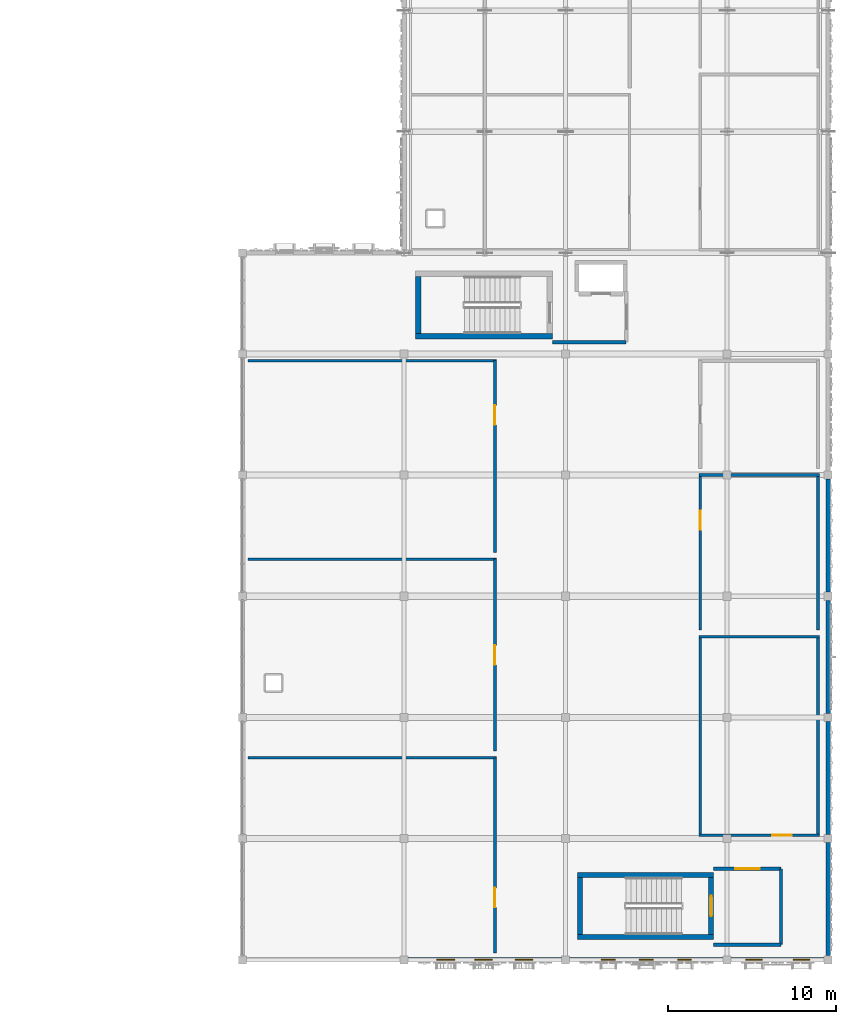
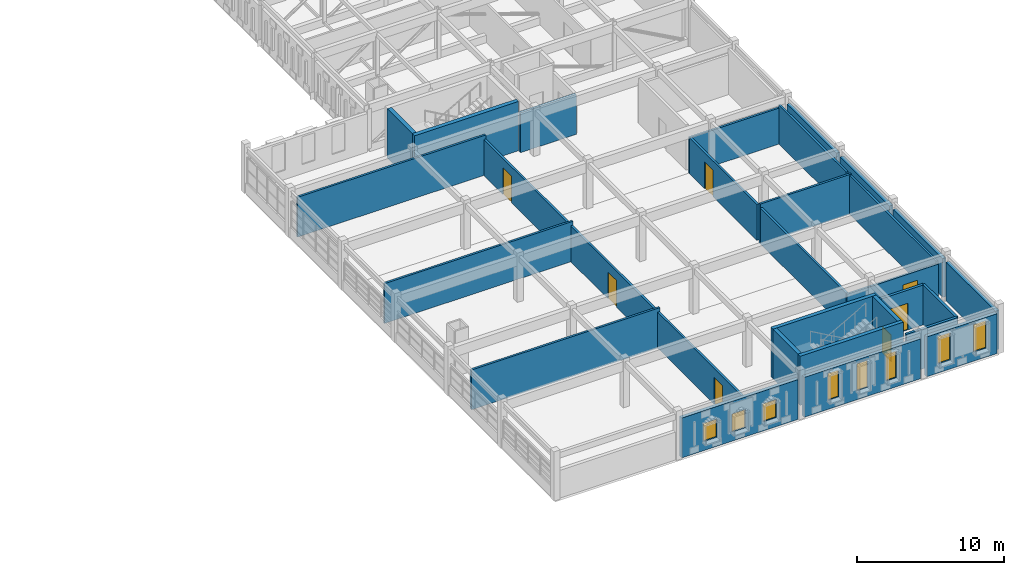
# One storey, part 51 of 79: 30 walls, 8 windows, 7 doors, 15 openings.
"""IFC4 building model written with IfcOpenShell, lengths in metres."""

from ifc_helpers import new_model, si_unit, direction, frame, frame_2d, origin, place, context, subcontext, project, spatial, rectangle, extrude, material, layer, layer_set, type_object, element, fill, save


model = new_model("IFC4")

# Units and contexts
model_context = context("Model", 3, precision=1e-05, world=origin(), true_north=direction((0.0, 1.0)))
body_context = subcontext(model_context, "Body", "Model", "MODEL_VIEW")
ifc_project = project(units=[si_unit("LENGTHUNIT", "METRE"), si_unit("AREAUNIT", "SQUARE_METRE"), si_unit("VOLUMEUNIT", "CUBIC_METRE"), si_unit("PLANEANGLEUNIT", "RADIAN"), si_unit("MASSUNIT", "GRAM", prefix="KILO")], contexts=[model_context])

# Site, building, storey
site_placement = place(None, origin())
site = spatial("IfcSite", under=ifc_project, at=site_placement, CompositionType="ELEMENT")
building_placement = place(site_placement, origin())
building = spatial("IfcBuilding", under=site, at=building_placement, Name="Nzembalo Square Collegiate School", CompositionType="ELEMENT")
storey_placement = place(building_placement, frame((0.0, 0.0, 9.52001953125)))
storey = spatial("IfcBuildingStorey", under=building, at=storey_placement, Name="L02", CompositionType="ELEMENT", Elevation=9.52001953125)

# Walls
ifc_material_1 = material(Name="Concrete C40/50", Category="concrete")
ifc_layer_1 = layer(ifc_material_1, 0.320068359375, Name="Concrete C40/50")
ifc_layer_set_1 = layer_set([ifc_layer_1], Name="Concrete C40/50")
wall_type_1 = type_object("IfcWallType", Name="SW01", PredefinedType="SHEAR", material=ifc_layer_set_1)
wall_1_placement = place(storey_placement, frame((141.239990234375, 45.60009765625, 0.0), z_axis=(0.0, 0.0, 1.0), x_axis=(0.0, 1.0, 0.0)))
element("IfcWall", 1, at=wall_1_placement, inside=storey, type_object=wall_type_1, Name="Core C5 stair shear wall W L02", PredefinedType="SHEAR", context=body_context, shape_type="SweptSolid", body=[
    extrude(rectangle(XDim=3.39990234375, YDim=0.320068359375, at=frame_2d((1.699951171875, 0.0))), origin(), (0.0, 0.0, 1.0), 4.080078125),
])
wall_2_placement = place(storey_placement, frame((141.080078125, 45.43994140625, 0.0), z_axis=(0.0, 0.0, 1.0), x_axis=(1.0, 0.0, 0.0)))
element("IfcWall", 2, at=wall_2_placement, inside=storey, type_object=wall_type_1, Name="Core C5 stair shear wall S L02", PredefinedType="SHEAR", context=body_context, shape_type="SweptSolid", body=[
    extrude(rectangle(XDim=8.139892578125, YDim=0.320068359375, at=frame_2d((4.06982421875, 0.0))), origin(), (0.0, 0.0, 1.0), 4.080078125),
])
ifc_material_2 = material(Name="Concrete C40/50", Category="concrete")
ifc_layer_2 = layer(ifc_material_2, 0.300048828125, Name="Concrete C40/50")
ifc_layer_set_2 = layer_set([ifc_layer_2], Name="Concrete C40/50")
wall_type_2 = type_object("IfcWallType", Name="SW02", PredefinedType="SHEAR", material=ifc_layer_set_2)
wall_3_placement = place(storey_placement, frame((150.85009765625, 9.89990234375, 0.0), z_axis=(0.0, 0.0, 1.0), x_axis=(0.0, 1.0, 0.0)))
element("IfcWall", 3, at=wall_3_placement, inside=storey, type_object=wall_type_2, Name="Core C6 stair shear wall W L02", PredefinedType="SHEAR", context=body_context, shape_type="SweptSolid", body=[
    extrude(rectangle(XDim=3.400146484375, YDim=0.300048828125, at=frame_2d((1.7001953125, 0.0))), origin(), (0.0, 0.0, 1.0), 4.080078125),
])
for number, where, z_axis, x_axis, name in (
    (4, (150.699951171875, 9.75, 0.0), (0.0, 0.0, 1.0), (1.0, 0.0, 0.0), "Core C6 stair shear wall S L02"),
    (5, (150.699951171875, 13.449951171875, 0.0), (0.0, 0.0, 1.0), (1.0, 0.0, 0.0), "Core C6 stair shear wall N L02"),
):
    element("IfcWall", number, at=place(storey_placement, frame(where, z_axis=z_axis, x_axis=x_axis)), inside=storey, type_object=wall_type_2, Name=name, PredefinedType="SHEAR", context=body_context, shape_type="SweptSolid", body=[
        extrude(rectangle(XDim=8.10009765625, YDim=0.300048828125, at=frame_2d((4.050048828125, 0.0))), origin(), (0.0, 0.0, 1.0), 4.080078125),
    ])

# Wall, opening, door
wall_4_placement = place(storey_placement, frame((158.64990234375, 9.89990234375, 0.0), z_axis=(0.0, 0.0, 1.0), x_axis=(0.0, 1.0, 0.0)))
wall_4 = element("IfcWall", 6, at=wall_4_placement, inside=storey, type_object=wall_type_2, Name="Core C6 stair shear wall E L02", PredefinedType="SHEAR", context=body_context, shape_type="SweptSolid", body=[
    extrude(rectangle(XDim=3.400146484375, YDim=0.300048828125, at=frame_2d((1.7001953125, 0.0))), origin(), (0.0, 0.0, 1.0), 4.080078125),
])
opening_1_placement = place(wall_4_placement, frame((1.10009765625, 0.0, 0.0)))
opening_1 = element("IfcOpeningElement", 7, at=opening_1_placement, cuts=wall_4, Name="Opening FD-062", PredefinedType="OPENING", context=body_context, shape_type="SweptSolid", body=[
    extrude(rectangle(XDim=1.199951171875, YDim=2.199951171875, at=frame_2d((0.60009765625, 1.10009765625))), frame((0.0, 0.16015625, 0.0), z_axis=(0.0, -1.0, 0.0), x_axis=(1.0, 0.0, 0.0)), (0.0, 0.0, 1.0), 0.320068359375),
])
ifc_material_3 = material(Name="Fire-rated steel acoustic door", Category="steel")
door_type_1 = type_object("IfcDoorType", Name="FD01", OperationType="NOTDEFINED", PredefinedType="DOOR", material=ifc_material_3)
door_1_placement = place(opening_1_placement, origin())
door_1 = element("IfcDoor", 8, at=door_1_placement, inside=storey, type_object=door_type_1, Name="Stair fire door FD-062", OperationType="SINGLE_SWING_RIGHT", OverallHeight=2.199951171875, OverallWidth=1.199951171875, PredefinedType="DOOR", context=body_context, shape_type="SweptSolid", body=[
    extrude(rectangle(XDim=1.199951171875, YDim=2.199951171875, at=frame_2d((0.60009765625, 1.10009765625))), frame((0.0, 0.02490234375, 0.0), z_axis=(0.0, -1.0, 0.0), x_axis=(1.0, 0.0, 0.0)), (0.0, 0.0, 1.0), 0.050048828125),
])
fill(opening_1, door_1)

# Walls
ifc_material_4 = material(Name="Concrete C30/37", Category="concrete")
ifc_layer_3 = layer(ifc_material_4, 0.284912109375, Name="Concrete C30/37")
ifc_layer_set_3 = layer_set([ifc_layer_3], Name="Concrete C30/37")
wall_type_3 = type_object("IfcWallType", Name="W05", PredefinedType="SOLIDWALL", material=ifc_layer_set_3)
wall_5_placement = place(storey_placement, frame((165.60009765625, 8.64208984375, 0.0), z_axis=(0.0, 0.0, 1.0), x_axis=(0.0, 1.0, 0.0)))
element("IfcWall", 9, at=wall_5_placement, inside=storey, type_object=wall_type_3, Name="Exterior wall W05 L02", PredefinedType="SOLIDWALL", context=body_context, shape_type="SweptSolid", body=[
    extrude(rectangle(XDim=6.7158203125, YDim=0.284912109375, at=frame_2d((3.35791015625, 0.0))), origin(), (0.0, 0.0, 1.0), 3.218994140625),
])
wall_6_placement = place(storey_placement, frame((165.60009765625, 23.0419921875, 0.0), z_axis=(0.0, 0.0, 1.0), x_axis=(0.0, 1.0, 0.0)))
element("IfcWall", 10, at=wall_6_placement, inside=storey, type_object=wall_type_3, Name="Exterior wall W05 L02", PredefinedType="SOLIDWALL", context=body_context, shape_type="SweptSolid", body=[
    extrude(rectangle(XDim=6.716064453125, YDim=0.284912109375, at=frame_2d((3.35791015625, 0.0))), origin(), (0.0, 0.0, 1.0), 3.218994140625),
])

# Wall, openings, windows
wall_7_placement = place(storey_placement, frame((140.64208984375, 8.39990234375, 0.0), z_axis=(0.0, 0.0, 1.0), x_axis=(1.0, 0.0, 0.0)))
wall_7 = element("IfcWall", 11, at=wall_7_placement, inside=storey, type_object=wall_type_3, Name="Exterior wall W05 L02", PredefinedType="SOLIDWALL", context=body_context, shape_type="SweptSolid", body=[
    extrude(rectangle(XDim=9.115966796875, YDim=0.284912109375, at=frame_2d((4.55810546875, 0.0))), origin(), (0.0, 0.0, 1.0), 3.299072265625),
])
opening_2_placement = place(wall_7_placement, frame((1.71142578125, 0.0, 0.75)))
opening_2 = element("IfcOpeningElement", 12, at=opening_2_placement, cuts=wall_7, Name="Opening WN-L02-458", PredefinedType="OPENING", context=body_context, shape_type="SweptSolid", body=[
    extrude(rectangle(XDim=1.050048828125, YDim=1.5, at=frame_2d((0.52490234375, 0.75))), frame((0.0, 0.15234375, 0.0), z_axis=(0.0, -1.0, 0.0), x_axis=(1.0, 0.0, 0.0)), (0.0, 0.0, 1.0), 0.304931640625),
])
opening_3_placement = place(wall_7_placement, frame((3.947998046875, 0.0, 0.75)))
opening_3 = element("IfcOpeningElement", 13, at=opening_3_placement, cuts=wall_7, Name="Opening WN-L02-459", PredefinedType="OPENING", context=body_context, shape_type="SweptSolid", body=[
    extrude(rectangle(XDim=1.050048828125, YDim=1.5, at=frame_2d((0.52490234375, 0.75))), frame((0.0, 0.15234375, 0.0), z_axis=(0.0, -1.0, 0.0), x_axis=(1.0, 0.0, 0.0)), (0.0, 0.0, 1.0), 0.304931640625),
])
opening_4_placement = place(wall_7_placement, frame((6.3544921875, 0.0, 0.75)))
opening_4 = element("IfcOpeningElement", 14, at=opening_4_placement, cuts=wall_7, Name="Opening WN-L02-460", PredefinedType="OPENING", context=body_context, shape_type="SweptSolid", body=[
    extrude(rectangle(XDim=1.050048828125, YDim=1.5, at=frame_2d((0.52490234375, 0.75))), frame((0.0, 0.15234375, 0.0), z_axis=(0.0, -1.0, 0.0), x_axis=(1.0, 0.0, 0.0)), (0.0, 0.0, 1.0), 0.304931640625),
])
ifc_material_5 = material(Name="Powder-coated aluminium and low-E double glazing", Category="aluminium")
window_type_1 = type_object("IfcWindowType", Name="WN15", PartitioningType="SINGLE_PANEL", PredefinedType="WINDOW", material=ifc_material_5)
window_1_placement = place(opening_2_placement, origin())
window_1 = element("IfcWindow", 15, at=window_1_placement, inside=storey, type_object=window_type_1, Name="Lancet window WN-L02-458", OverallHeight=1.5, OverallWidth=1.050048828125, PartitioningType="SINGLE_PANEL", PredefinedType="WINDOW", context=body_context, shape_type="SweptSolid", body=[
    extrude(rectangle(XDim=1.050048828125, YDim=1.5, at=frame_2d((0.52490234375, 0.75))), frame((0.0, 0.030029296875, 0.0), z_axis=(0.0, -1.0, 0.0), x_axis=(1.0, 0.0, 0.0)), (0.0, 0.0, 1.0), 0.06005859375),
])
fill(opening_2, window_1)
window_2_placement = place(opening_3_placement, origin())
window_2 = element("IfcWindow", 16, at=window_2_placement, inside=storey, type_object=window_type_1, Name="Lancet window WN-L02-459", OverallHeight=1.5, OverallWidth=1.050048828125, PartitioningType="SINGLE_PANEL", PredefinedType="WINDOW", context=body_context, shape_type="SweptSolid", body=[
    extrude(rectangle(XDim=1.050048828125, YDim=1.5, at=frame_2d((0.52490234375, 0.75))), frame((0.0, 0.030029296875, 0.0), z_axis=(0.0, -1.0, 0.0), x_axis=(1.0, 0.0, 0.0)), (0.0, 0.0, 1.0), 0.06005859375),
])
fill(opening_3, window_2)
window_3_placement = place(opening_4_placement, origin())
window_3 = element("IfcWindow", 17, at=window_3_placement, inside=storey, type_object=window_type_1, Name="Lancet window WN-L02-460", OverallHeight=1.5, OverallWidth=1.050048828125, PartitioningType="SINGLE_PANEL", PredefinedType="WINDOW", context=body_context, shape_type="SweptSolid", body=[
    extrude(rectangle(XDim=1.050048828125, YDim=1.5, at=frame_2d((0.52490234375, 0.75))), frame((0.0, 0.030029296875, 0.0), z_axis=(0.0, -1.0, 0.0), x_axis=(1.0, 0.0, 0.0)), (0.0, 0.0, 1.0), 0.06005859375),
])
fill(opening_4, window_3)

wall_8_placement = place(storey_placement, frame((159.842041015625, 8.39990234375, 0.0), z_axis=(0.0, 0.0, 1.0), x_axis=(1.0, 0.0, 0.0)))
wall_8 = element("IfcWall", 18, at=wall_8_placement, inside=storey, type_object=wall_type_3, Name="Exterior wall W05 L02", PredefinedType="SOLIDWALL", context=body_context, shape_type="SweptSolid", body=[
    extrude(rectangle(XDim=5.515869140625, YDim=0.284912109375, at=frame_2d((2.7578125, 0.0))), origin(), (0.0, 0.0, 1.0), 3.299072265625),
])
opening_5_placement = place(wall_8_placement, frame((0.864013671875, 0.0, 0.75)))
opening_5 = element("IfcOpeningElement", 19, at=opening_5_placement, cuts=wall_8, Name="Opening WN-L02-483", PredefinedType="OPENING", context=body_context, shape_type="SweptSolid", body=[
    extrude(rectangle(XDim=0.97998046875, YDim=2.280029296875, at=frame_2d((0.489990234375, 1.14013671875))), frame((0.0, 0.15234375, 0.0), z_axis=(0.0, -1.0, 0.0), x_axis=(1.0, 0.0, 0.0)), (0.0, 0.0, 1.0), 0.304931640625),
])
opening_6_placement = place(wall_8_placement, frame((3.672119140625, 0.0, 0.75)))
opening_6 = element("IfcOpeningElement", 20, at=opening_6_placement, cuts=wall_8, Name="Opening WN-L02-484", PredefinedType="OPENING", context=body_context, shape_type="SweptSolid", body=[
    extrude(rectangle(XDim=0.97998046875, YDim=2.280029296875, at=frame_2d((0.489990234375, 1.14013671875))), frame((0.0, 0.15234375, 0.0), z_axis=(0.0, -1.0, 0.0), x_axis=(1.0, 0.0, 0.0)), (0.0, 0.0, 1.0), 0.304931640625),
])
ifc_material_6 = material(Name="Powder-coated aluminium and low-E double glazing", Category="aluminium")
window_type_2 = type_object("IfcWindowType", Name="WN40", PartitioningType="SINGLE_PANEL", PredefinedType="WINDOW", material=ifc_material_6)
window_4_placement = place(opening_5_placement, origin())
window_4 = element("IfcWindow", 21, at=window_4_placement, inside=storey, type_object=window_type_2, Name="Lancet window WN-L02-483", OverallHeight=2.280029296875, OverallWidth=0.97998046875, PartitioningType="SINGLE_PANEL", PredefinedType="WINDOW", context=body_context, shape_type="SweptSolid", body=[
    extrude(rectangle(XDim=0.97998046875, YDim=2.280029296875, at=frame_2d((0.489990234375, 1.14013671875))), frame((0.0, 0.030029296875, 0.0), z_axis=(0.0, -1.0, 0.0), x_axis=(1.0, 0.0, 0.0)), (0.0, 0.0, 1.0), 0.06005859375),
])
fill(opening_5, window_4)
window_5_placement = place(opening_6_placement, origin())
window_5 = element("IfcWindow", 22, at=window_5_placement, inside=storey, type_object=window_type_2, Name="Lancet window WN-L02-484", OverallHeight=2.280029296875, OverallWidth=0.97998046875, PartitioningType="SINGLE_PANEL", PredefinedType="WINDOW", context=body_context, shape_type="SweptSolid", body=[
    extrude(rectangle(XDim=0.97998046875, YDim=2.280029296875, at=frame_2d((0.489990234375, 1.14013671875))), frame((0.0, 0.030029296875, 0.0), z_axis=(0.0, -1.0, 0.0), x_axis=(1.0, 0.0, 0.0)), (0.0, 0.0, 1.0), 0.06005859375),
])
fill(opening_6, window_5)

# Walls
ifc_material_7 = material(Name="Concrete C30/37", Category="concrete")
ifc_layer_4 = layer(ifc_material_7, 0.264892578125, Name="Concrete C30/37")
ifc_layer_set_4 = layer_set([ifc_layer_4], Name="Concrete C30/37")
wall_type_4 = type_object("IfcWallType", Name="W06", PredefinedType="SOLIDWALL", material=ifc_layer_set_4)
for number, where, z_axis, x_axis, name in (
    (23, (165.60009765625, 15.842041015625, 0.0), (0.0, 0.0, 1.0), (0.0, 1.0, 0.0), "Exterior wall W06 L02"),
    (24, (165.60009765625, 30.241943359375, 0.0), (0.0, 0.0, 1.0), (0.0, 1.0, 0.0), "Exterior wall W06 L02"),
):
    element("IfcWall", number, at=place(storey_placement, frame(where, z_axis=z_axis, x_axis=x_axis)), inside=storey, type_object=wall_type_4, Name=name, PredefinedType="SOLIDWALL", context=body_context, shape_type="SweptSolid", body=[
        extrude(rectangle(XDim=6.716064453125, YDim=0.264892578125, at=frame_2d((3.35791015625, 0.0))), origin(), (0.0, 0.0, 1.0), 3.218994140625),
    ])

# Wall, openings, windows
wall_9_placement = place(storey_placement, frame((150.241943359375, 8.39990234375, 0.0), z_axis=(0.0, 0.0, 1.0), x_axis=(1.0, 0.0, 0.0)))
wall_9 = element("IfcWall", 25, at=wall_9_placement, inside=storey, type_object=wall_type_4, Name="Exterior wall W06 L02", PredefinedType="SOLIDWALL", context=body_context, shape_type="SweptSolid", body=[
    extrude(rectangle(XDim=9.115966796875, YDim=0.264892578125, at=frame_2d((4.55810546875, 0.0))), origin(), (0.0, 0.0, 1.0), 3.299072265625),
])
opening_7_placement = place(wall_9_placement, frame((1.884033203125, 0.0, 0.75)))
opening_7 = element("IfcOpeningElement", 26, at=opening_7_placement, cuts=wall_9, Name="Opening WN-L02-480", PredefinedType="OPENING", context=body_context, shape_type="SweptSolid", body=[
    extrude(rectangle(XDim=0.820068359375, YDim=2.219970703125, at=frame_2d((0.41015625, 1.10986328125))), frame((0.0, 0.142578125, 0.0), z_axis=(0.0, -1.0, 0.0), x_axis=(1.0, 0.0, 0.0)), (0.0, 0.0, 1.0), 0.284912109375),
])
opening_8_placement = place(wall_9_placement, frame((4.14794921875, 0.0, 0.75)))
opening_8 = element("IfcOpeningElement", 27, at=opening_8_placement, cuts=wall_9, Name="Opening WN-L02-481", PredefinedType="OPENING", context=body_context, shape_type="SweptSolid", body=[
    extrude(rectangle(XDim=0.820068359375, YDim=2.219970703125, at=frame_2d((0.41015625, 1.10986328125))), frame((0.0, 0.142578125, 0.0), z_axis=(0.0, -1.0, 0.0), x_axis=(1.0, 0.0, 0.0)), (0.0, 0.0, 1.0), 0.284912109375),
])
opening_9_placement = place(wall_9_placement, frame((6.412109375, 0.0, 0.75)))
opening_9 = element("IfcOpeningElement", 28, at=opening_9_placement, cuts=wall_9, Name="Opening WN-L02-482", PredefinedType="OPENING", context=body_context, shape_type="SweptSolid", body=[
    extrude(rectangle(XDim=0.820068359375, YDim=2.219970703125, at=frame_2d((0.41015625, 1.10986328125))), frame((0.0, 0.142578125, 0.0), z_axis=(0.0, -1.0, 0.0), x_axis=(1.0, 0.0, 0.0)), (0.0, 0.0, 1.0), 0.284912109375),
])
ifc_material_8 = material(Name="Powder-coated aluminium and low-E double glazing", Category="aluminium")
window_type_3 = type_object("IfcWindowType", Name="WN37", PartitioningType="SINGLE_PANEL", PredefinedType="WINDOW", material=ifc_material_8)
window_6_placement = place(opening_7_placement, origin())
window_6 = element("IfcWindow", 29, at=window_6_placement, inside=storey, type_object=window_type_3, Name="Lancet window WN-L02-480", OverallHeight=2.219970703125, OverallWidth=0.820068359375, PartitioningType="SINGLE_PANEL", PredefinedType="WINDOW", context=body_context, shape_type="SweptSolid", body=[
    extrude(rectangle(XDim=0.820068359375, YDim=2.219970703125, at=frame_2d((0.41015625, 1.10986328125))), frame((0.0, 0.030029296875, 0.0), z_axis=(0.0, -1.0, 0.0), x_axis=(1.0, 0.0, 0.0)), (0.0, 0.0, 1.0), 0.06005859375),
])
fill(opening_7, window_6)
window_7_placement = place(opening_8_placement, origin())
window_7 = element("IfcWindow", 30, at=window_7_placement, inside=storey, type_object=window_type_3, Name="Lancet window WN-L02-481", OverallHeight=2.219970703125, OverallWidth=0.820068359375, PartitioningType="SINGLE_PANEL", PredefinedType="WINDOW", context=body_context, shape_type="SweptSolid", body=[
    extrude(rectangle(XDim=0.820068359375, YDim=2.219970703125, at=frame_2d((0.41015625, 1.10986328125))), frame((0.0, 0.030029296875, 0.0), z_axis=(0.0, -1.0, 0.0), x_axis=(1.0, 0.0, 0.0)), (0.0, 0.0, 1.0), 0.06005859375),
])
fill(opening_8, window_7)
window_8_placement = place(opening_9_placement, origin())
window_8 = element("IfcWindow", 31, at=window_8_placement, inside=storey, type_object=window_type_3, Name="Lancet window WN-L02-482", OverallHeight=2.219970703125, OverallWidth=0.820068359375, PartitioningType="SINGLE_PANEL", PredefinedType="WINDOW", context=body_context, shape_type="SweptSolid", body=[
    extrude(rectangle(XDim=0.820068359375, YDim=2.219970703125, at=frame_2d((0.41015625, 1.10986328125))), frame((0.0, 0.030029296875, 0.0), z_axis=(0.0, -1.0, 0.0), x_axis=(1.0, 0.0, 0.0)), (0.0, 0.0, 1.0), 0.06005859375),
])
fill(opening_9, window_8)

# Walls
ifc_material_9 = material(Name="Concrete blockwork C25/30", Category="masonry")
ifc_layer_5 = layer(ifc_material_9, 0.199951171875, Name="Concrete blockwork C25/30")
ifc_layer_set_5 = layer_set([ifc_layer_5], Name="Concrete blockwork C25/30")
wall_type_5 = type_object("IfcWallType", Name="W11", PredefinedType="PARTITIONING", material=ifc_layer_set_5)
wall_10_placement = place(storey_placement, frame((149.219970703125, 45.10009765625, 0.0), z_axis=(0.0, 0.0, 1.0), x_axis=(1.0, 0.0, 0.0)))
element("IfcWall", 32, at=wall_10_placement, inside=storey, type_object=wall_type_5, Name="Core C5 EI 60 lobby wall S L02", PredefinedType="PARTITIONING", context=body_context, shape_type="SweptSolid", body=[
    extrude(rectangle(XDim=4.380126953125, YDim=0.199951171875, at=frame_2d((2.18994140625, 0.0))), origin(), (0.0, 0.0, 1.0), 3.299072265625),
])
wall_11_placement = place(storey_placement, frame((162.800048828125, 9.300048828125, 0.0), z_axis=(0.0, 0.0, 1.0), x_axis=(0.0, 1.0, 0.0)))
element("IfcWall", 33, at=wall_11_placement, inside=storey, type_object=wall_type_5, Name="Core C6 EI 60 lobby wall E L02", PredefinedType="PARTITIONING", context=body_context, shape_type="SweptSolid", body=[
    extrude(rectangle(XDim=4.5, YDim=0.199951171875, at=frame_2d((2.25, 0.0))), origin(), (0.0, 0.0, 1.0), 3.299072265625),
])
wall_12_placement = place(storey_placement, frame((158.800048828125, 9.300048828125, 0.0), z_axis=(0.0, 0.0, 1.0), x_axis=(1.0, 0.0, 0.0)))
element("IfcWall", 34, at=wall_12_placement, inside=storey, type_object=wall_type_5, Name="Core C6 EI 60 lobby wall S L02", PredefinedType="PARTITIONING", context=body_context, shape_type="SweptSolid", body=[
    extrude(rectangle(XDim=4.0, YDim=0.199951171875, at=frame_2d((2.0, 0.0))), origin(), (0.0, 0.0, 1.0), 3.299072265625),
])

# Wall, opening, door
wall_13_placement = place(storey_placement, frame((158.800048828125, 13.800048828125, 0.0), z_axis=(0.0, 0.0, 1.0), x_axis=(1.0, 0.0, 0.0)))
wall_13 = element("IfcWall", 35, at=wall_13_placement, inside=storey, type_object=wall_type_5, Name="Core C6 EI 60 lobby wall N L02", PredefinedType="PARTITIONING", context=body_context, shape_type="SweptSolid", body=[
    extrude(rectangle(XDim=4.0, YDim=0.199951171875, at=frame_2d((2.0, 0.0))), origin(), (0.0, 0.0, 1.0), 3.299072265625),
])
opening_10_placement = place(wall_13_placement, frame((1.27490234375, 0.0, 0.0)))
opening_10 = element("IfcOpeningElement", 36, at=opening_10_placement, cuts=wall_13, Name="Opening FD-063", PredefinedType="OPENING", context=body_context, shape_type="SweptSolid", body=[
    extrude(rectangle(XDim=1.449951171875, YDim=2.199951171875, at=frame_2d((0.72509765625, 1.10009765625))), frame((0.0, 0.10986328125, 0.0), z_axis=(0.0, -1.0, 0.0), x_axis=(1.0, 0.0, 0.0)), (0.0, 0.0, 1.0), 0.219970703125),
])
ifc_material_10 = material(Name="Fire-rated double lobby door")
door_type_2 = type_object("IfcDoorType", Name="FD02", OperationType="DOUBLE_DOOR_SINGLE_SWING", PredefinedType="DOOR", material=ifc_material_10)
door_2_placement = place(opening_10_placement, origin())
door_2 = element("IfcDoor", 37, at=door_2_placement, inside=storey, type_object=door_type_2, Name="Protected lobby fire door FD-063", OperationType="DOUBLE_DOOR_SINGLE_SWING", OverallHeight=2.199951171875, OverallWidth=1.449951171875, PredefinedType="DOOR", context=body_context, shape_type="SweptSolid", body=[
    extrude(rectangle(XDim=1.449951171875, YDim=2.199951171875, at=frame_2d((0.72509765625, 1.10009765625))), frame((0.0, 0.02490234375, 0.0), z_axis=(0.0, -1.0, 0.0), x_axis=(1.0, 0.0, 0.0)), (0.0, 0.0, 1.0), 0.050048828125),
])
fill(opening_10, door_2)

# Wall
ifc_material_11 = material(Name="Moisture-resistant acoustic stud")
ifc_layer_6 = layer(ifc_material_11, 0.1650390625, Name="Moisture-resistant acoustic stud")
ifc_layer_set_6 = layer_set([ifc_layer_6], Name="Moisture-resistant acoustic stud")
wall_type_6 = type_object("IfcWallType", Name="W15", PredefinedType="PARTITIONING", material=ifc_layer_set_6)
wall_14_placement = place(storey_placement, frame((131.117431640625, 20.39990234375, 0.0), z_axis=(0.0, 0.0, 1.0), x_axis=(1.0, 0.0, 0.0)))
element("IfcWall", 38, at=wall_14_placement, inside=storey, type_object=wall_type_6, Name="Interior partition W15 L02-040-N", PredefinedType="PARTITIONING", context=body_context, shape_type="SweptSolid", body=[
    extrude(rectangle(XDim=14.76513671875, YDim=0.1650390625, at=frame_2d((7.382568359375, 0.0))), origin(), (0.0, 0.0, 1.0), 3.299072265625),
])

# Wall, opening, door
wall_15_placement = place(storey_placement, frame((145.800048828125, 8.800048828125, 0.0), z_axis=(0.0, 0.0, 1.0), x_axis=(0.0, 1.0, 0.0)))
wall_15 = element("IfcWall", 39, at=wall_15_placement, inside=storey, type_object=wall_type_6, Name="Interior partition W15 L02-040-E", PredefinedType="PARTITIONING", context=body_context, shape_type="SweptSolid", body=[
    extrude(rectangle(XDim=11.599853515625, YDim=0.1650390625, at=frame_2d((5.7998046875, 0.0))), origin(), (0.0, 0.0, 1.0), 2.97900390625),
])
opening_11_placement = place(wall_15_placement, frame((2.7099609375, 0.0, 0.0)))
opening_11 = element("IfcOpeningElement", 40, at=opening_11_placement, cuts=wall_15, Name="Opening D-L02-068", PredefinedType="OPENING", context=body_context, shape_type="SweptSolid", body=[
    extrude(rectangle(XDim=1.159912109375, YDim=2.219970703125, at=frame_2d((0.580078125, 1.10986328125))), frame((0.0, 0.092529296875, 0.0), z_axis=(0.0, -1.0, 0.0), x_axis=(1.0, 0.0, 0.0)), (0.0, 0.0, 1.0), 0.18505859375),
])
ifc_material_12 = material(Name="Vision-panel laboratory fire door")
door_type_3 = type_object("IfcDoorType", Name="D03", OperationType="NOTDEFINED", PredefinedType="DOOR", material=ifc_material_12)
door_3_placement = place(opening_11_placement, origin())
door_3 = element("IfcDoor", 41, at=door_3_placement, inside=storey, type_object=door_type_3, Name="Interior door D-L02-068 (Biology Science Laboratory 1)", OperationType="SINGLE_SWING_LEFT", OverallHeight=2.219970703125, OverallWidth=1.159912109375, PredefinedType="DOOR", context=body_context, shape_type="SweptSolid", body=[
    extrude(rectangle(XDim=1.159912109375, YDim=2.219970703125, at=frame_2d((0.580078125, 1.10986328125))), frame((0.0, 0.02490234375, 0.0), z_axis=(0.0, -1.0, 0.0), x_axis=(1.0, 0.0, 0.0)), (0.0, 0.0, 1.0), 0.050048828125),
])
fill(opening_11, door_3)

# Wall
wall_16_placement = place(storey_placement, frame((131.117431640625, 32.199951171875, 0.0), z_axis=(0.0, 0.0, 1.0), x_axis=(1.0, 0.0, 0.0)))
element("IfcWall", 42, at=wall_16_placement, inside=storey, type_object=wall_type_6, Name="Interior partition W15 L02-041-N", PredefinedType="PARTITIONING", context=body_context, shape_type="SweptSolid", body=[
    extrude(rectangle(XDim=14.76513671875, YDim=0.1650390625, at=frame_2d((7.382568359375, 0.0))), origin(), (0.0, 0.0, 1.0), 3.299072265625),
])

# Wall, opening, door
wall_17_placement = place(storey_placement, frame((145.800048828125, 20.800048828125, 0.0), z_axis=(0.0, 0.0, 1.0), x_axis=(0.0, 1.0, 0.0)))
wall_17 = element("IfcWall", 43, at=wall_17_placement, inside=storey, type_object=wall_type_6, Name="Interior partition W15 L02-041-E", PredefinedType="PARTITIONING", context=body_context, shape_type="SweptSolid", body=[
    extrude(rectangle(XDim=11.39990234375, YDim=0.1650390625, at=frame_2d((5.699951171875, 0.0))), origin(), (0.0, 0.0, 1.0), 2.97900390625),
])
opening_12_placement = place(wall_17_placement, frame((5.1201171875, 0.0, 0.0)))
opening_12 = element("IfcOpeningElement", 44, at=opening_12_placement, cuts=wall_17, Name="Opening D-L02-069", PredefinedType="OPENING", context=body_context, shape_type="SweptSolid", body=[
    extrude(rectangle(XDim=1.159912109375, YDim=2.219970703125, at=frame_2d((0.580078125, 1.10986328125))), frame((0.0, 0.092529296875, 0.0), z_axis=(0.0, -1.0, 0.0), x_axis=(1.0, 0.0, 0.0)), (0.0, 0.0, 1.0), 0.18505859375),
])
door_4_placement = place(opening_12_placement, origin())
door_4 = element("IfcDoor", 45, at=door_4_placement, inside=storey, type_object=door_type_3, Name="Interior door D-L02-069 (Biology Science Laboratory 2)", OperationType="SINGLE_SWING_RIGHT", OverallHeight=2.219970703125, OverallWidth=1.159912109375, PredefinedType="DOOR", context=body_context, shape_type="SweptSolid", body=[
    extrude(rectangle(XDim=1.159912109375, YDim=2.219970703125, at=frame_2d((0.580078125, 1.10986328125))), frame((0.0, 0.02490234375, 0.0), z_axis=(0.0, -1.0, 0.0), x_axis=(1.0, 0.0, 0.0)), (0.0, 0.0, 1.0), 0.050048828125),
])
fill(opening_12, door_4)

# Wall
wall_18_placement = place(storey_placement, frame((131.117431640625, 44.0, 0.0), z_axis=(0.0, 0.0, 1.0), x_axis=(1.0, 0.0, 0.0)))
element("IfcWall", 46, at=wall_18_placement, inside=storey, type_object=wall_type_6, Name="Interior partition W15 L02-042-N", PredefinedType="PARTITIONING", context=body_context, shape_type="SweptSolid", body=[
    extrude(rectangle(XDim=14.76513671875, YDim=0.1650390625, at=frame_2d((7.382568359375, 0.0))), origin(), (0.0, 0.0, 1.0), 3.299072265625),
])

# Wall, opening, door
wall_19_placement = place(storey_placement, frame((145.800048828125, 32.60009765625, 0.0), z_axis=(0.0, 0.0, 1.0), x_axis=(0.0, 1.0, 0.0)))
wall_19 = element("IfcWall", 47, at=wall_19_placement, inside=storey, type_object=wall_type_6, Name="Interior partition W15 L02-042-E", PredefinedType="PARTITIONING", context=body_context, shape_type="SweptSolid", body=[
    extrude(rectangle(XDim=11.39990234375, YDim=0.1650390625, at=frame_2d((5.699951171875, 0.0))), origin(), (0.0, 0.0, 1.0), 2.97900390625),
])
opening_13_placement = place(wall_19_placement, frame((7.580078125, 0.0, 0.0)))
opening_13 = element("IfcOpeningElement", 48, at=opening_13_placement, cuts=wall_19, Name="Opening D-L02-070", PredefinedType="OPENING", context=body_context, shape_type="SweptSolid", body=[
    extrude(rectangle(XDim=1.159912109375, YDim=2.219970703125, at=frame_2d((0.580078125, 1.10986328125))), frame((0.0, 0.092529296875, 0.0), z_axis=(0.0, -1.0, 0.0), x_axis=(1.0, 0.0, 0.0)), (0.0, 0.0, 1.0), 0.18505859375),
])
door_5_placement = place(opening_13_placement, origin())
door_5 = element("IfcDoor", 49, at=door_5_placement, inside=storey, type_object=door_type_3, Name="Interior door D-L02-070 (General Science Laboratory 3)", OperationType="SINGLE_SWING_LEFT", OverallHeight=2.219970703125, OverallWidth=1.159912109375, PredefinedType="DOOR", context=body_context, shape_type="SweptSolid", body=[
    extrude(rectangle(XDim=1.159912109375, YDim=2.219970703125, at=frame_2d((0.580078125, 1.10986328125))), frame((0.0, 0.02490234375, 0.0), z_axis=(0.0, -1.0, 0.0), x_axis=(1.0, 0.0, 0.0)), (0.0, 0.0, 1.0), 0.050048828125),
])
fill(opening_13, door_5)

wall_20_placement = place(storey_placement, frame((157.91748046875, 15.800048828125, 0.0), z_axis=(0.0, 0.0, 1.0), x_axis=(1.0, 0.0, 0.0)))
wall_20 = element("IfcWall", 50, at=wall_20_placement, inside=storey, type_object=wall_type_6, Name="Interior partition W15 L02-044-S", PredefinedType="PARTITIONING", context=body_context, shape_type="SweptSolid", body=[
    extrude(rectangle(XDim=7.1650390625, YDim=0.1650390625, at=frame_2d((3.58251953125, 0.0))), origin(), (0.0, 0.0, 1.0), 2.97900390625),
])
opening_14_placement = place(wall_20_placement, frame((4.362548828125, 0.0, 0.0)))
opening_14 = element("IfcOpeningElement", 51, at=opening_14_placement, cuts=wall_20, Name="Opening D-L02-071", PredefinedType="OPENING", context=body_context, shape_type="SweptSolid", body=[
    extrude(rectangle(XDim=1.159912109375, YDim=2.219970703125, at=frame_2d((0.580078125, 1.10986328125))), frame((0.0, 0.092529296875, 0.0), z_axis=(0.0, -1.0, 0.0), x_axis=(1.0, 0.0, 0.0)), (0.0, 0.0, 1.0), 0.18505859375),
])
door_6_placement = place(opening_14_placement, origin())
door_6 = element("IfcDoor", 52, at=door_6_placement, inside=storey, type_object=door_type_3, Name="Interior door D-L02-071 (Earth Science Laboratory 4)", OperationType="SINGLE_SWING_RIGHT", OverallHeight=2.219970703125, OverallWidth=1.159912109375, PredefinedType="DOOR", context=body_context, shape_type="SweptSolid", body=[
    extrude(rectangle(XDim=1.159912109375, YDim=2.219970703125, at=frame_2d((0.580078125, 1.10986328125))), frame((0.0, 0.02490234375, 0.0), z_axis=(0.0, -1.0, 0.0), x_axis=(1.0, 0.0, 0.0)), (0.0, 0.0, 1.0), 0.050048828125),
])
fill(opening_14, door_6)

# Walls
wall_21_placement = place(storey_placement, frame((157.91748046875, 27.60009765625, 0.0), z_axis=(0.0, 0.0, 1.0), x_axis=(1.0, 0.0, 0.0)))
element("IfcWall", 53, at=wall_21_placement, inside=storey, type_object=wall_type_6, Name="Interior partition W15 L02-044-N", PredefinedType="PARTITIONING", context=body_context, shape_type="SweptSolid", body=[
    extrude(rectangle(XDim=7.1650390625, YDim=0.1650390625, at=frame_2d((3.58251953125, 0.0))), origin(), (0.0, 0.0, 1.0), 3.299072265625),
])
wall_22_placement = place(storey_placement, frame((158.0, 15.800048828125, 0.0), z_axis=(0.0, 0.0, 1.0), x_axis=(0.0, 1.0, 0.0)))
element("IfcWall", 54, at=wall_22_placement, inside=storey, type_object=wall_type_6, Name="Interior partition W15 L02-044-W", PredefinedType="PARTITIONING", context=body_context, shape_type="SweptSolid", body=[
    extrude(rectangle(XDim=11.800048828125, YDim=0.1650390625, at=frame_2d((5.89990234375, 0.0))), origin(), (0.0, 0.0, 1.0), 2.97900390625),
])
wall_23_placement = place(storey_placement, frame((165.0, 15.800048828125, 0.0), z_axis=(0.0, 0.0, 1.0), x_axis=(0.0, 1.0, 0.0)))
element("IfcWall", 55, at=wall_23_placement, inside=storey, type_object=wall_type_6, Name="Interior partition W15 L02-044-E", PredefinedType="PARTITIONING", context=body_context, shape_type="SweptSolid", body=[
    extrude(rectangle(XDim=11.800048828125, YDim=0.1650390625, at=frame_2d((5.89990234375, 0.0))), origin(), (0.0, 0.0, 1.0), 3.218994140625),
])
wall_24_placement = place(storey_placement, frame((157.91748046875, 37.199951171875, 0.0), z_axis=(0.0, 0.0, 1.0), x_axis=(1.0, 0.0, 0.0)))
element("IfcWall", 56, at=wall_24_placement, inside=storey, type_object=wall_type_6, Name="Interior partition W15 L02-045-N", PredefinedType="PARTITIONING", context=body_context, shape_type="SweptSolid", body=[
    extrude(rectangle(XDim=7.1650390625, YDim=0.1650390625, at=frame_2d((3.58251953125, 0.0))), origin(), (0.0, 0.0, 1.0), 2.97900390625),
])

# Wall, opening, door
wall_25_placement = place(storey_placement, frame((158.0, 28.0, 0.0), z_axis=(0.0, 0.0, 1.0), x_axis=(0.0, 1.0, 0.0)))
wall_25 = element("IfcWall", 57, at=wall_25_placement, inside=storey, type_object=wall_type_6, Name="Interior partition W15 L02-045-W", PredefinedType="PARTITIONING", context=body_context, shape_type="SweptSolid", body=[
    extrude(rectangle(XDim=9.199951171875, YDim=0.1650390625, at=frame_2d((4.60009765625, 0.0))), origin(), (0.0, 0.0, 1.0), 2.97900390625),
])
opening_15_placement = place(wall_25_placement, frame((5.9599609375, 0.0, 0.0)))
opening_15 = element("IfcOpeningElement", 58, at=opening_15_placement, cuts=wall_25, Name="Opening D-L02-072", PredefinedType="OPENING", context=body_context, shape_type="SweptSolid", body=[
    extrude(rectangle(XDim=1.1201171875, YDim=2.219970703125, at=frame_2d((0.56005859375, 1.10986328125))), frame((0.0, 0.092529296875, 0.0), z_axis=(0.0, -1.0, 0.0), x_axis=(1.0, 0.0, 0.0)), (0.0, 0.0, 1.0), 0.18505859375),
])
ifc_material_13 = material(Name="Laboratory preparation door")
door_type_4 = type_object("IfcDoorType", Name="D15", OperationType="NOTDEFINED", PredefinedType="DOOR", material=ifc_material_13)
door_7_placement = place(opening_15_placement, origin())
door_7 = element("IfcDoor", 59, at=door_7_placement, inside=storey, type_object=door_type_4, Name="Interior door D-L02-072 (Central Biology Preparation Room L02)", OperationType="SINGLE_SWING_LEFT", OverallHeight=2.219970703125, OverallWidth=1.1201171875, PredefinedType="DOOR", context=body_context, shape_type="SweptSolid", body=[
    extrude(rectangle(XDim=1.1201171875, YDim=2.219970703125, at=frame_2d((0.56005859375, 1.10986328125))), frame((0.0, 0.02490234375, 0.0), z_axis=(0.0, -1.0, 0.0), x_axis=(1.0, 0.0, 0.0)), (0.0, 0.0, 1.0), 0.050048828125),
])
fill(opening_15, door_7)

# Wall
wall_26_placement = place(storey_placement, frame((165.0, 28.0, 0.0), z_axis=(0.0, 0.0, 1.0), x_axis=(0.0, 1.0, 0.0)))
element("IfcWall", 60, at=wall_26_placement, inside=storey, type_object=wall_type_6, Name="Interior partition W15 L02-045-E", PredefinedType="PARTITIONING", context=body_context, shape_type="SweptSolid", body=[
    extrude(rectangle(XDim=9.199951171875, YDim=0.1650390625, at=frame_2d((4.60009765625, 0.0))), origin(), (0.0, 0.0, 1.0), 3.218994140625),
])

save(model, "model.ifc")
